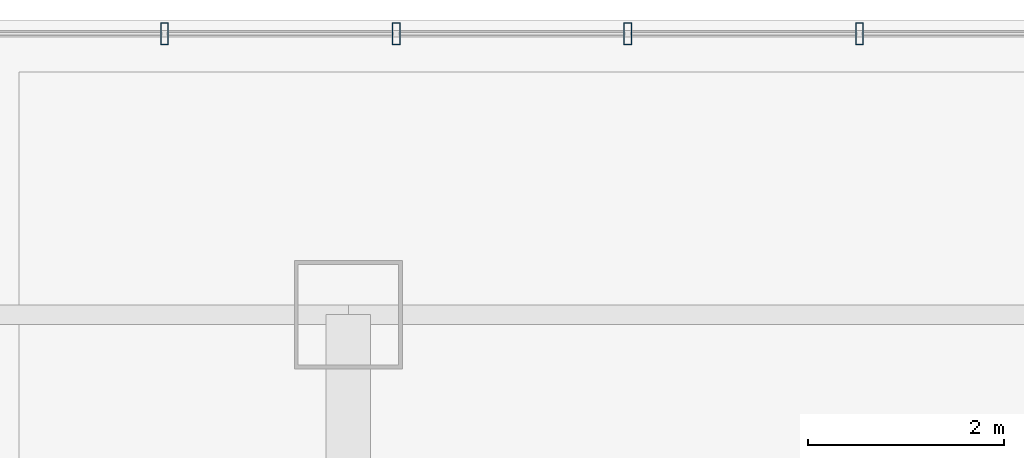
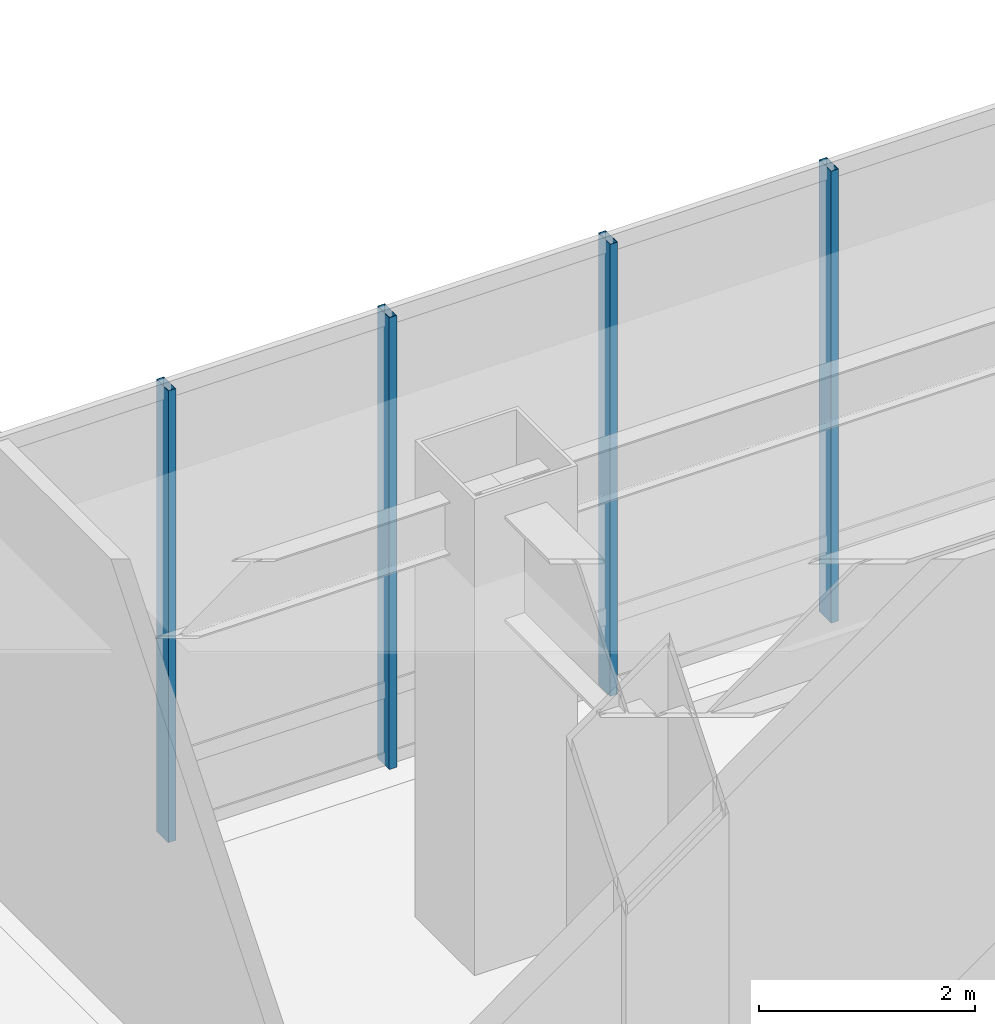
# One storey, part 18 of 35: 4 members, 1 element without a shape of its own.
"""IFC4 building model written with IfcOpenShell, lengths in metres."""

from ifc_helpers import new_model, si_unit, direction, frame, origin, origin_2d, place, context, subcontext, project, spatial, hollow_rectangle, extrude, material, layer, layer_set, material_profile, profile_set, type_object, element, aggregate, save


model = new_model("IFC4")

# Units and contexts
model_context = context("Model", 3, precision=1e-05, world=origin(), true_north=direction((0.0, 1.0)))
body_context = subcontext(model_context, "Body", "Model", "MODEL_VIEW")
ifc_project = project(units=[si_unit("LENGTHUNIT", "METRE"), si_unit("AREAUNIT", "SQUARE_METRE"), si_unit("VOLUMEUNIT", "CUBIC_METRE"), si_unit("PLANEANGLEUNIT", "RADIAN"), si_unit("MASSUNIT", "GRAM", prefix="KILO")], contexts=[model_context])

# Site, building, storey
site_placement = place(None, origin())
site = spatial("IfcSite", under=ifc_project, at=site_placement, CompositionType="ELEMENT")
building_placement = place(site_placement, origin())
building = spatial("IfcBuilding", under=site, at=building_placement, Name="Hatsunagi Terrace Concourse", CompositionType="ELEMENT")
storey_placement = place(building_placement, frame((0.0, 0.0, 5.39990234375)))
storey = spatial("IfcBuildingStorey", under=building, at=storey_placement, Name="L02", CompositionType="ELEMENT", Elevation=5.39990234375)

# Curtain wall, members
ifc_material_1 = material(Name="Anodised Aluminium Alloy 6063-T5", Category="aluminium")
ifc_layer = layer(ifc_material_1, 0.199951171875)
ifc_layer_set = layer_set([ifc_layer], Name="PodiumStorefront_CW01")
curtain_wall_type = type_object("IfcCurtainWallType", Name="PodiumStorefront_CW01", PredefinedType="NOTDEFINED", material=ifc_layer_set)
curtain_wall_placement = place(storey_placement, origin())
curtain_wall = element("IfcCurtainWall", 1, at=curtain_wall_placement, inside=storey, type_object=curtain_wall_type, Name="Unitised Curtain Wall CW-01 CW-L02-12", PredefinedType="NOTDEFINED")
ifc_material_2 = material(Name="Anodised Aluminium Alloy 6063-T5", Category="aluminium")
ifc_material_profile = material_profile(ifc_material_2, hollow_rectangle(XDim=0.080078125, YDim=0.219970703125, WallThickness=0.0048828125, at=origin_2d()), Name="ALU-MUL-220x80x5")
ifc_profile_set = profile_set([ifc_material_profile], Name="Anodised Aluminium Alloy 6063-T5")
member_type = type_object("IfcMemberType", Name="CurtainWallMullion_Heavy_220x80", PredefinedType="MULLION", material=ifc_profile_set)
member_1_placement = place(storey_placement, frame((23.678955078125, 51.4599609375, 0.0), z_axis=(0.0, 0.0, 1.0), x_axis=(1.0, 0.0, 0.0)))
member_1 = element("IfcMember", 2, at=member_1_placement, type_object=member_type, Name="Curtain Wall Mullion MUL-01", PredefinedType="MULLION", context=body_context, shape_type="SweptSolid", body=[
    extrude(hollow_rectangle(XDim=0.080078125, YDim=0.219970703125, WallThickness=0.0048828125, at=origin_2d()), origin(), (0.0, 0.0, 1.0), 5.10009765625),
])
member_2_placement = place(storey_placement, frame((26.037109375, 51.4599609375, 0.0), z_axis=(0.0, 0.0, 1.0), x_axis=(1.0, 0.0, 0.0)))
member_2 = element("IfcMember", 3, at=member_2_placement, type_object=member_type, Name="Curtain Wall Mullion MUL-01", PredefinedType="MULLION", context=body_context, shape_type="SweptSolid", body=[
    extrude(hollow_rectangle(XDim=0.080078125, YDim=0.219970703125, WallThickness=0.0048828125, at=origin_2d()), origin(), (0.0, 0.0, 1.0), 5.10009765625),
])
member_3_placement = place(storey_placement, frame((28.39501953125, 51.4599609375, 0.0), z_axis=(0.0, 0.0, 1.0), x_axis=(1.0, 0.0, 0.0)))
member_3 = element("IfcMember", 4, at=member_3_placement, type_object=member_type, Name="Curtain Wall Mullion MUL-01", PredefinedType="MULLION", context=body_context, shape_type="SweptSolid", body=[
    extrude(hollow_rectangle(XDim=0.080078125, YDim=0.219970703125, WallThickness=0.0048828125, at=origin_2d()), origin(), (0.0, 0.0, 1.0), 5.10009765625),
])
member_4_placement = place(storey_placement, frame((30.7529296875, 51.4599609375, 0.0), z_axis=(0.0, 0.0, 1.0), x_axis=(1.0, 0.0, 0.0)))
member_4 = element("IfcMember", 5, at=member_4_placement, type_object=member_type, Name="Curtain Wall Mullion MUL-01", PredefinedType="MULLION", context=body_context, shape_type="SweptSolid", body=[
    extrude(hollow_rectangle(XDim=0.080078125, YDim=0.219970703125, WallThickness=0.0048828125, at=origin_2d()), origin(), (0.0, 0.0, 1.0), 5.10009765625),
])
aggregate(curtain_wall, [member_1, member_2, member_3, member_4])

save(model, "model.ifc")
